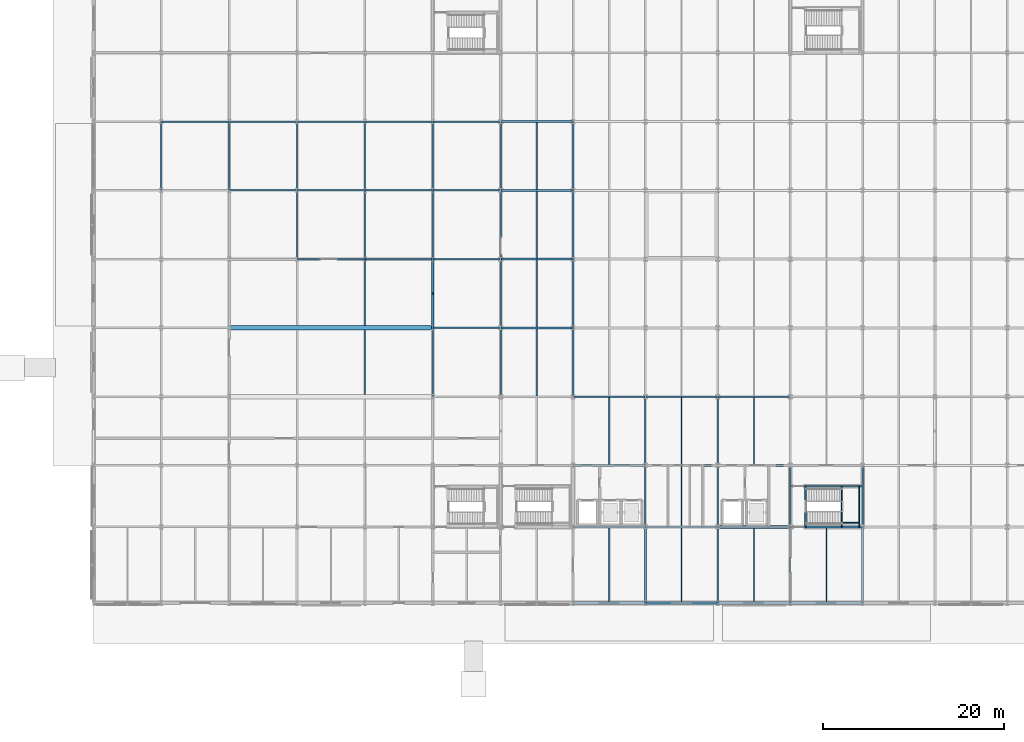
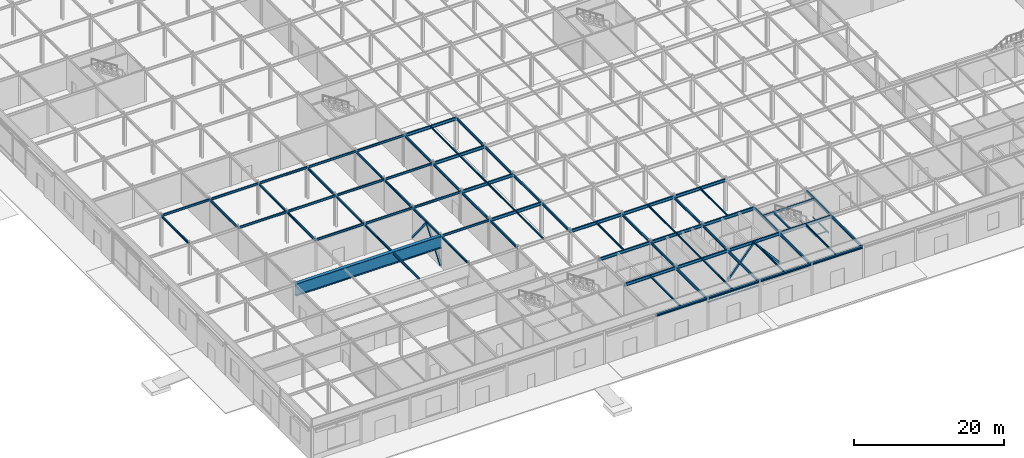
# One storey, part 24 of 89: 80 beams, 4 members.
"""IFC4 building model written with IfcOpenShell, lengths in metres."""

import ifcopenshell
import ifcopenshell.guid

model = None  # the IFC model being written
_history = None  # IfcOwnerHistory: only IFC2X3 demands one
_inside = {}  # id of a spatial element -> (the spatial element, [elements in it])
_under = {}  # id of a project, library or spatial element -> (it, [spatial elements below it])
_declared = {}  # id of a project -> (the project, [libraries it declares])
_typed = {}  # id of a type object -> (the type object, [elements of that type])
_made_of = {}  # id of a material, layer set ... -> (it, [elements and type objects made of it])


def new_model(schema):
    """Start an empty IFC model of exactly this schema.

    Asked for "IFC4X3", IfcOpenShell would pick the latest addendum, in which some entities
    have other attributes; the version numbers below select the first issue.
    IFC2X3 requires an IfcOwnerHistory on every rooted entity: one is made here for all.
    """
    global model, _history
    if schema == "IFC4X3":
        model = ifcopenshell.file(schema_version=(4, 3, 0, 0))
    else:
        model = ifcopenshell.file(schema=schema)
    _inside.clear()
    _under.clear()
    _declared.clear()
    _typed.clear()
    _made_of.clear()
    _history = None
    if model.schema == "IFC2X3":
        org = make("IfcOrganization", Name="unknown")
        user = make(
            "IfcPersonAndOrganization",
            ThePerson=make("IfcPerson", FamilyName="unknown"),
            TheOrganization=org,
        )
        app = make(
            "IfcApplication",
            ApplicationDeveloper=org,
            Version="unknown",
            ApplicationFullName="unknown",
            ApplicationIdentifier="unknown",
        )
        _history = make(
            "IfcOwnerHistory",
            OwningUser=user,
            OwningApplication=app,
            ChangeAction="ADDED",
            CreationDate=0,
        )
    return model


def make(cls, **values):
    """One entity of the class cls with the attributes given. An attribute that is None is left unset."""
    return model.create_entity(
        cls, **{name: value for name, value in values.items() if value is not None}
    )


def rooted(cls, **values):
    """An entity with a GlobalId (a new one), such as an element, a storey or a relation."""
    return make(cls, GlobalId=ifcopenshell.guid.new(), OwnerHistory=_history, **values)


def si_unit(unit_type, name, prefix=None):
    """IfcSIUnit, for example si_unit("LENGTHUNIT", "METRE", prefix="MILLI")."""
    return make("IfcSIUnit", UnitType=unit_type, Prefix=prefix, Name=name)


def assignment(units):
    """IfcUnitAssignment: the units of a project."""
    return None if units is None else make("IfcUnitAssignment", Units=units)


def point(xyz):
    """IfcCartesianPoint."""
    return None if xyz is None else make("IfcCartesianPoint", Coordinates=xyz)


def direction(xyz):
    """IfcDirection."""
    return None if xyz is None else make("IfcDirection", DirectionRatios=xyz)


def frame(location, z_axis=None, x_axis=None):
    """IfcAxis2Placement3D, a coordinate frame: its origin and axes. An axis left out is left unset."""
    return make(
        "IfcAxis2Placement3D",
        Location=point(location),
        Axis=direction(z_axis),
        RefDirection=direction(x_axis),
    )


def frame_2d(location, x_axis=None):
    """IfcAxis2Placement2D, a coordinate frame in the plane: its origin and x axis."""
    return make(
        "IfcAxis2Placement2D", Location=point(location), RefDirection=direction(x_axis)
    )


def origin():
    """The frame at (0, 0, 0) with its axes left unset."""
    return frame((0.0, 0.0, 0.0))


def origin_2d():
    """The frame at (0, 0) in the plane with its x axis left unset."""
    return frame_2d((0.0, 0.0))


def place(relative_to, where):
    """IfcLocalPlacement: puts the frame where relative to a parent placement (None: the world)."""
    return make(
        "IfcLocalPlacement", PlacementRelTo=relative_to, RelativePlacement=where
    )


def context(
    kind, dimensions, precision=None, world=None, true_north=None, identifier=None
):
    """IfcGeometricRepresentationContext, for example the 3D "Model" context."""
    return make(
        "IfcGeometricRepresentationContext",
        ContextIdentifier=identifier,
        ContextType=kind,
        CoordinateSpaceDimension=dimensions,
        Precision=precision,
        WorldCoordinateSystem=world,
        TrueNorth=true_north,
    )


def subcontext(parent, identifier, kind, view, scale=None):
    """IfcGeometricRepresentationSubContext, for example "Body" below "Model"."""
    return make(
        "IfcGeometricRepresentationSubContext",
        ContextIdentifier=identifier,
        ContextType=kind,
        ParentContext=parent,
        TargetScale=scale,
        TargetView=view,
    )


def project(units=None, contexts=None):
    """IfcProject with its units and contexts."""
    return rooted(
        "IfcProject",
        Name="project",
        RepresentationContexts=contexts,
        UnitsInContext=assignment(units),
    )


def spatial(cls, under=None, at=None, **own):
    """A site, building, storey or space (cls), placed at a placement, below another one or the project."""
    s = rooted(cls, ObjectPlacement=at, **own)
    if under is not None:
        _under.setdefault(under.id(), (under, []))[1].append(s)
    return s


def profile(cls, at=None, kind="AREA", **sizes):
    """A parametric profile (cls). Its sizes go by their IFC names, for example OverallWidth=200.0."""
    return make(cls, ProfileType=kind, Position=at, **sizes)


def hollow_rectangle(**sizes):
    """IfcRectangleHollowProfileDef."""
    return profile("IfcRectangleHollowProfileDef", **sizes)


def i_section(**sizes):
    """IfcIShapeProfileDef."""
    return profile("IfcIShapeProfileDef", **sizes)


def extrude(swept, where, along, depth):
    """IfcExtrudedAreaSolid: the profile swept, set in the frame where, extruded along a direction by depth."""
    return make(
        "IfcExtrudedAreaSolid",
        SweptArea=swept,
        Position=where,
        ExtrudedDirection=direction(along),
        Depth=depth,
    )


def shape(context_of_items, identifier, shape_type, items):
    """IfcShapeRepresentation: the items that make up one representation, for example the "Body"."""
    return make(
        "IfcShapeRepresentation",
        ContextOfItems=context_of_items,
        RepresentationIdentifier=identifier,
        RepresentationType=shape_type,
        Items=items,
    )


def material(Name=None, Category=None):
    """IfcMaterial."""
    return make("IfcMaterial", Name=Name, Category=Category)


def material_profile(
    of_material, cross_section, Name=None, Category=None, Priority=None
):
    """IfcMaterialProfile: a cross section and its material."""
    return make(
        "IfcMaterialProfile",
        Name=Name,
        Material=of_material,
        Profile=cross_section,
        Priority=Priority,
        Category=Category,
    )


def profile_set(profiles, Name=None, composite=None):
    """IfcMaterialProfileSet."""
    return make(
        "IfcMaterialProfileSet",
        Name=Name,
        MaterialProfiles=profiles,
        CompositeProfile=composite,
    )


def made_of(thing, what):
    """Note that an element or type object is made of a material, layer set ...; save() writes the relation."""
    if what is not None:
        _made_of.setdefault(what.id(), (what, []))[1].append(thing)
    return thing


def type_object(cls, material=None, **own):
    """A type object (cls), such as IfcWallType, which elements share."""
    return made_of(rooted(cls, **own), material)


def element(
    cls,
    number,
    at=None,
    inside=None,
    cuts=None,
    type_object=None,
    material=None,
    context=None,
    identifier="Body",
    shape_type=None,
    held_by="IfcProductDefinitionShape",
    body=None,
    shapes=None,
    **own,
):
    """One element of the class cls, such as IfcWall. Its Tag is "e" and its number.

    at: its placement. inside: the storey or other place that contains it. cuts: it is an
    opening in that element (IfcRelVoidsElement). A single representation is given by context,
    identifier, shape_type and body (its items); several are given by shapes. held_by: the class
    of the entity that holds the representations. save() writes the other relations.
    """
    e = rooted(cls, Tag="e%d" % number, ObjectPlacement=at, **own)
    if body is not None:
        shapes = [shape(context, identifier, shape_type, body)]
    if shapes is not None:
        e.Representation = make(held_by, Representations=shapes)
    if inside is not None:
        _inside.setdefault(inside.id(), (inside, []))[1].append(e)
    if cuts is not None:
        rooted(
            "IfcRelVoidsElement", RelatingBuildingElement=cuts, RelatedOpeningElement=e
        )
    if type_object is not None:
        _typed.setdefault(type_object.id(), (type_object, []))[1].append(e)
    return made_of(e, material)


def aggregate(whole, parts):
    """IfcRelAggregates: a whole, such as a stair, and the parts it consists of."""
    return rooted("IfcRelAggregates", RelatingObject=whole, RelatedObjects=parts)


def save(model, path):
    """Write the relations noted so far, then the file.

    IfcRelAggregates (storeys below a building ...), IfcRelContainedInSpatialStructure (elements
    in a storey), IfcRelDefinesByType, IfcRelAssociatesMaterial and IfcRelDeclares: one each for
    every whole, place, type object, material and project.
    """
    for whole, parts in _under.values():
        aggregate(whole, parts)
    for where, things in _inside.values():
        rooted(
            "IfcRelContainedInSpatialStructure",
            RelatedElements=things,
            RelatingStructure=where,
        )
    for kind, things in _typed.values():
        rooted("IfcRelDefinesByType", RelatedObjects=things, RelatingType=kind)
    for what, things in _made_of.values():
        rooted("IfcRelAssociatesMaterial", RelatedObjects=things, RelatingMaterial=what)
    for by, libraries in _declared.values():
        rooted("IfcRelDeclares", RelatingContext=by, RelatedDefinitions=libraries)
    model.write(path)


model = new_model("IFC4")

# Units and contexts
model_context = context("Model", 3, precision=1e-05, world=origin(), true_north=direction((0.0, 1.0)))
body_context = subcontext(model_context, "Body", "Model", "MODEL_VIEW")
ifc_project = project(units=[si_unit("LENGTHUNIT", "METRE"), si_unit("AREAUNIT", "SQUARE_METRE"), si_unit("VOLUMEUNIT", "CUBIC_METRE"), si_unit("PLANEANGLEUNIT", "RADIAN"), si_unit("MASSUNIT", "GRAM", prefix="KILO")], contexts=[model_context])

# Site, building, storey
site_placement = place(None, origin())
site = spatial("IfcSite", under=ifc_project, at=site_placement, CompositionType="ELEMENT")
building_placement = place(site_placement, origin())
building = spatial("IfcBuilding", under=site, at=building_placement, Name="Shalkamar Park Central Library", CompositionType="ELEMENT")
storey_placement = place(building_placement, origin())
storey = spatial("IfcBuildingStorey", under=building, at=storey_placement, Name="L01", CompositionType="ELEMENT", Elevation=0.0)

# Beams
ifc_material = material(Name="Steel S355", Category="steel")
ifc_material_profile_1 = material_profile(ifc_material, i_section(OverallWidth=0.10009765625, OverallDepth=0.199951171875, WebThickness=0.005615234375, FlangeThickness=0.008544921875, FilletRadius=0.011962890625, at=origin_2d()), Name="IPE 200")
ifc_profile_set_1 = profile_set([ifc_material_profile_1], Name="Steel S355")
beam_type_1 = type_object("IfcBeamType", Name="Composite Floor Joist IPE200", PredefinedType="JOIST", material=ifc_profile_set_1)
for number, where, z_axis, x_axis, name in (
    (1, (202.679931640625, 248.39990234375, 2.320068359375), (0.0, 1.0, 0.0), (-1.0, 0.0, 0.0), "Stair Half-Landing Beam ST-T2-L01-1"),
    (2, (204.6201171875, 248.39990234375, 2.320068359375), (0.0, 1.0, 0.0), (-1.0, 0.0, 0.0), "Stair Half-Landing Beam ST-T2-L01-2"),
):
    element("IfcBeam", number, at=place(storey_placement, frame(where, z_axis=z_axis, x_axis=x_axis)), inside=storey, type_object=beam_type_1, Name=name, PredefinedType="JOIST", context=body_context, shape_type="SweptSolid", body=[
        extrude(i_section(OverallWidth=0.10009765625, OverallDepth=0.199951171875, WebThickness=0.005615234375, FlangeThickness=0.008544921875, FilletRadius=0.011962890625, at=origin_2d()), origin(), (0.0, 0.0, 1.0), 4.5),
    ])
beam_1_placement = place(storey_placement, frame((202.679931640625, 248.85009765625, 2.320068359375), z_axis=(1.0, 0.0, 0.0), x_axis=(0.0, 1.0, 0.0)))
element("IfcBeam", 3, at=beam_1_placement, inside=storey, type_object=beam_type_1, Name="Stair Half-Landing Cross Tie ST-T2-L01-3", PredefinedType="JOIST", context=body_context, shape_type="SweptSolid", body=[
    extrude(i_section(OverallWidth=0.10009765625, OverallDepth=0.199951171875, WebThickness=0.005615234375, FlangeThickness=0.008544921875, FilletRadius=0.011962890625, at=origin_2d()), origin(), (0.0, 0.0, 1.0), 1.940185546875),
])
ifc_material_profile_2 = material_profile(ifc_material, i_section(OverallWidth=0.1201171875, OverallDepth=0.239990234375, WebThickness=0.006103515625, FlangeThickness=0.009765625, FilletRadius=0.014892578125, at=origin_2d()), Name="IPE 240")
ifc_profile_set_2 = profile_set([ifc_material_profile_2], Name="Steel S355")
beam_type_2 = type_object("IfcBeamType", Name="Composite Floor Joist IPE240", PredefinedType="JOIST", material=ifc_profile_set_2)
beam_2_placement = place(storey_placement, frame((185.0, 248.498046875, 5.02001953125), z_axis=(0.0, 1.0, 0.0), x_axis=(-1.0, 0.0, 0.0)))
element("IfcBeam", 4, at=beam_2_placement, inside=storey, type_object=beam_type_2, Name="Composite Joist 09/B-1 (L01)", PredefinedType="JOIST", context=body_context, shape_type="SweptSolid", body=[
    extrude(i_section(OverallWidth=0.1201171875, OverallDepth=0.239990234375, WebThickness=0.006103515625, FlangeThickness=0.009765625, FilletRadius=0.014892578125, at=origin_2d()), origin(), (0.0, 0.0, 1.0), 6.60400390625),
])
ifc_material_profile_3 = material_profile(ifc_material, i_section(OverallWidth=0.135009765625, OverallDepth=0.27001953125, WebThickness=0.006591796875, FlangeThickness=0.01025390625, FilletRadius=0.014892578125, at=origin_2d()), Name="IPE 270")
ifc_profile_set_3 = profile_set([ifc_material_profile_3], Name="Steel S355")
beam_type_3 = type_object("IfcBeamType", Name="Composite Floor Joist IPE270", PredefinedType="JOIST", material=ifc_profile_set_3)
for number, where, z_axis, x_axis, name in (
    (5, (169.0, 262.89794921875, 5.0048828125), (0.0, 1.0, 0.0), (-1.0, 0.0, 0.0), "Composite Joist 07/D-1 (L01)"),
    (6, (169.0, 270.498046875, 5.0048828125), (0.0, 1.0, 0.0), (-1.0, 0.0, 0.0), "Composite Joist 07/E-1 (L01)"),
    (7, (169.0, 278.097900390625, 5.0048828125), (0.0, 1.0, 0.0), (-1.0, 0.0, 0.0), "Composite Joist 07/F-1 (L01)"),
    (8, (169.0, 285.697998046875, 5.0048828125), (0.0, 1.0, 0.0), (-1.0, 0.0, 0.0), "Composite Joist 07/G-1 (L01)"),
):
    element("IfcBeam", number, at=place(storey_placement, frame(where, z_axis=z_axis, x_axis=x_axis)), inside=storey, type_object=beam_type_3, Name=name, PredefinedType="JOIST", context=body_context, shape_type="SweptSolid", body=[
        extrude(i_section(OverallWidth=0.135009765625, OverallDepth=0.27001953125, WebThickness=0.006591796875, FlangeThickness=0.01025390625, FilletRadius=0.014892578125, at=origin_2d()), origin(), (0.0, 0.0, 1.0), 7.404052734375),
    ])
beam_3_placement = place(storey_placement, frame((177.0, 240.14794921875, 5.0048828125), z_axis=(0.0, 1.0, 0.0), x_axis=(-1.0, 0.0, 0.0)))
element("IfcBeam", 9, at=beam_3_placement, inside=storey, type_object=beam_type_3, Name="Composite Joist 08/A-1 (L01)", PredefinedType="JOIST", context=body_context, shape_type="SweptSolid", body=[
    extrude(i_section(OverallWidth=0.135009765625, OverallDepth=0.27001953125, WebThickness=0.006591796875, FlangeThickness=0.01025390625, FilletRadius=0.014892578125, at=origin_2d()), origin(), (0.0, 0.0, 1.0), 8.154052734375),
])
beam_4_placement = place(storey_placement, frame((177.0, 255.298095703125, 5.0048828125), z_axis=(0.0, 1.0, 0.0), x_axis=(-1.0, 0.0, 0.0)))
element("IfcBeam", 10, at=beam_4_placement, inside=storey, type_object=beam_type_3, Name="Composite Joist 08/C-1 (L01)", PredefinedType="JOIST", context=body_context, shape_type="SweptSolid", body=[
    extrude(i_section(OverallWidth=0.135009765625, OverallDepth=0.27001953125, WebThickness=0.006591796875, FlangeThickness=0.01025390625, FilletRadius=0.014892578125, at=origin_2d()), origin(), (0.0, 0.0, 1.0), 7.40380859375),
])
beam_5_placement = place(storey_placement, frame((185.0, 240.14794921875, 5.0048828125), z_axis=(0.0, 1.0, 0.0), x_axis=(-1.0, 0.0, 0.0)))
element("IfcBeam", 11, at=beam_5_placement, inside=storey, type_object=beam_type_3, Name="Composite Joist 09/A-1 (L01)", PredefinedType="JOIST", context=body_context, shape_type="SweptSolid", body=[
    extrude(i_section(OverallWidth=0.135009765625, OverallDepth=0.27001953125, WebThickness=0.006591796875, FlangeThickness=0.01025390625, FilletRadius=0.014892578125, at=origin_2d()), origin(), (0.0, 0.0, 1.0), 8.154052734375),
])
beam_6_placement = place(storey_placement, frame((185.0, 255.298095703125, 5.0048828125), z_axis=(0.0, 1.0, 0.0), x_axis=(-1.0, 0.0, 0.0)))
element("IfcBeam", 12, at=beam_6_placement, inside=storey, type_object=beam_type_3, Name="Composite Joist 09/C-1 (L01)", PredefinedType="JOIST", context=body_context, shape_type="SweptSolid", body=[
    extrude(i_section(OverallWidth=0.135009765625, OverallDepth=0.27001953125, WebThickness=0.006591796875, FlangeThickness=0.01025390625, FilletRadius=0.014892578125, at=origin_2d()), origin(), (0.0, 0.0, 1.0), 7.40380859375),
])
beam_7_placement = place(storey_placement, frame((193.0, 240.14794921875, 5.0048828125), z_axis=(0.0, 1.0, 0.0), x_axis=(-1.0, 0.0, 0.0)))
element("IfcBeam", 13, at=beam_7_placement, inside=storey, type_object=beam_type_3, Name="Composite Joist 10/A-1 (L01)", PredefinedType="JOIST", context=body_context, shape_type="SweptSolid", body=[
    extrude(i_section(OverallWidth=0.135009765625, OverallDepth=0.27001953125, WebThickness=0.006591796875, FlangeThickness=0.01025390625, FilletRadius=0.014892578125, at=origin_2d()), origin(), (0.0, 0.0, 1.0), 8.154052734375),
])
beam_8_placement = place(storey_placement, frame((193.0, 255.298095703125, 5.0048828125), z_axis=(0.0, 1.0, 0.0), x_axis=(-1.0, 0.0, 0.0)))
element("IfcBeam", 14, at=beam_8_placement, inside=storey, type_object=beam_type_3, Name="Composite Joist 10/C-1 (L01)", PredefinedType="JOIST", context=body_context, shape_type="SweptSolid", body=[
    extrude(i_section(OverallWidth=0.135009765625, OverallDepth=0.27001953125, WebThickness=0.006591796875, FlangeThickness=0.01025390625, FilletRadius=0.014892578125, at=origin_2d()), origin(), (0.0, 0.0, 1.0), 7.40380859375),
])
beam_9_placement = place(storey_placement, frame((201.0, 240.14794921875, 5.0048828125), z_axis=(0.0, 1.0, 0.0), x_axis=(-1.0, 0.0, 0.0)))
element("IfcBeam", 15, at=beam_9_placement, inside=storey, type_object=beam_type_3, Name="Composite Joist 11/A-1 (L01)", PredefinedType="JOIST", context=body_context, shape_type="SweptSolid", body=[
    extrude(i_section(OverallWidth=0.135009765625, OverallDepth=0.27001953125, WebThickness=0.006591796875, FlangeThickness=0.01025390625, FilletRadius=0.014892578125, at=origin_2d()), origin(), (0.0, 0.0, 1.0), 8.154052734375),
])

# Members
ifc_material_profile_4 = material_profile(ifc_material, hollow_rectangle(XDim=0.300048828125, YDim=0.300048828125, WallThickness=0.01611328125, InnerFilletRadius=0.01611328125, OuterFilletRadius=0.02392578125, at=origin_2d()), Name="SHS 300x300x16")
ifc_profile_set_4 = profile_set([ifc_material_profile_4], Name="Steel S355")
member_type = type_object("IfcMemberType", Name="Diagonal Brace SHS300", PredefinedType="BRACE", material=ifc_profile_set_4)
for number, where, z_axis, x_axis, name in (
    (16, (189.0, 248.39990234375, 0.14990234375), (0.648904123361, 0.0, 0.760870185173), (0.0, 1.0, 0.0), "Chevron Brace TW-S Leg A (L01)"),
    (17, (197.0, 248.39990234375, 0.14990234375), (-0.648904123361, 0.0, 0.760870185173), (0.0, -1.0, 0.0), "Chevron Brace TW-S Leg B (L01)"),
):
    element("IfcMember", number, at=place(storey_placement, frame(where, z_axis=z_axis, x_axis=x_axis)), inside=storey, type_object=member_type, Name=name, PredefinedType="BRACE", context=body_context, shape_type="SweptSolid", body=[
        extrude(hollow_rectangle(XDim=0.300048828125, YDim=0.300048828125, WallThickness=0.01611328125, InnerFilletRadius=0.01611328125, OuterFilletRadius=0.02392578125, at=origin_2d()), origin(), (0.0, 0.0, 1.0), 6.164306640625),
    ])
for number, where, z_axis, x_axis, name in (
    (18, (157.5, 270.39990234375, 0.14990234375), (0.0, 0.62952162091, 0.776982965583), (-1.0, 0.0, 0.0), "Chevron Brace PD-W Leg A (L01)"),
    (19, (157.5, 278.0, 0.14990234375), (0.0, -0.62952162091, 0.776982965583), (1.0, 0.0, 0.0), "Chevron Brace PD-W Leg B (L01)"),
):
    element("IfcMember", number, at=place(storey_placement, frame(where, z_axis=z_axis, x_axis=x_axis)), inside=storey, type_object=member_type, Name=name, PredefinedType="BRACE", context=body_context, shape_type="SweptSolid", body=[
        extrude(hollow_rectangle(XDim=0.300048828125, YDim=0.300048828125, WallThickness=0.01611328125, InnerFilletRadius=0.01611328125, OuterFilletRadius=0.02392578125, at=origin_2d()), origin(), (0.0, 0.0, 1.0), 6.036376953125),
    ])

# Beams
ifc_material_profile_5 = material_profile(ifc_material, i_section(OverallWidth=0.179931640625, OverallDepth=0.1708984375, WebThickness=0.006103515625, FlangeThickness=0.009521484375, FilletRadius=0.014892578125, at=origin_2d()), Name="HEA 180")
ifc_profile_set_5 = profile_set([ifc_material_profile_5], Name="Steel S355")
beam_type_4 = type_object("IfcBeamType", Name="Opening Lintel Beam HEA180", PredefinedType="LINTEL", material=ifc_profile_set_5)
beam_10_placement = place(storey_placement, frame((181.080078125, 240.0, 4.35009765625), z_axis=(1.0, 0.0, 0.0), x_axis=(0.0, 1.0, 0.0)))
element("IfcBeam", 20, at=beam_10_placement, inside=storey, type_object=beam_type_4, Name="Opening Lintel L01-04", PredefinedType="LINTEL", context=body_context, shape_type="SweptSolid", body=[
    extrude(i_section(OverallWidth=0.179931640625, OverallDepth=0.1708984375, WebThickness=0.006103515625, FlangeThickness=0.009521484375, FilletRadius=0.014892578125, at=origin_2d()), origin(), (0.0, 0.0, 1.0), 7.83984375),
])
ifc_material_profile_6 = material_profile(ifc_material, i_section(OverallWidth=0.300048828125, OverallDepth=0.31005859375, WebThickness=0.009033203125, FlangeThickness=0.015380859375, FilletRadius=0.027099609375, at=origin_2d()), Name="HEA 320")
ifc_profile_set_6 = profile_set([ifc_material_profile_6], Name="Steel S355")
beam_type_5 = type_object("IfcBeamType", Name="Perimeter Spandrel Beam HEA320", PredefinedType="SPANDREL", material=ifc_profile_set_6)
for number, where, z_axis, x_axis, name in (
    (21, (173.0, 240.0, 4.9951171875), (1.0, 0.0, 0.0), (0.0, 1.0, 0.0), "Beam A:08-09 (L01)"),
    (22, (181.0, 240.0, 4.9951171875), (1.0, 0.0, 0.0), (0.0, 1.0, 0.0), "Beam A:09-10 (L01)"),
    (23, (189.0, 240.0, 4.9951171875), (1.0, 0.0, 0.0), (0.0, 1.0, 0.0), "Beam A:10-11 (L01)"),
    (24, (197.0, 240.0, 4.9951171875), (1.0, 0.0, 0.0), (0.0, 1.0, 0.0), "Beam A:11-12 (L01)"),
):
    element("IfcBeam", number, at=place(storey_placement, frame(where, z_axis=z_axis, x_axis=x_axis)), inside=storey, type_object=beam_type_5, Name=name, PredefinedType="SPANDREL", context=body_context, shape_type="SweptSolid", body=[
        extrude(i_section(OverallWidth=0.300048828125, OverallDepth=0.31005859375, WebThickness=0.009033203125, FlangeThickness=0.015380859375, FilletRadius=0.027099609375, at=origin_2d()), origin(), (0.0, 0.0, 1.0), 8.0),
    ])
ifc_material_profile_7 = material_profile(ifc_material, i_section(OverallWidth=0.169921875, OverallDepth=0.360107421875, WebThickness=0.008056640625, FlangeThickness=0.0126953125, FilletRadius=0.01806640625, at=origin_2d()), Name="IPE 360")
ifc_profile_set_7 = profile_set([ifc_material_profile_7], Name="Steel S355")
beam_type_6 = type_object("IfcBeamType", Name="Primary Girder IPE360", PredefinedType="BEAM", material=ifc_profile_set_7)
for number, where, z_axis, x_axis, name in (
    (25, (157.5, 270.39990234375, 4.9599609375), (1.0, 0.0, 0.0), (0.0, 1.0, 0.0), "Beam E:06-07 (L01)"),
    (26, (142.5, 278.0, 4.9599609375), (1.0, 0.0, 0.0), (0.0, 1.0, 0.0), "Beam F:04-05 (L01)"),
    (27, (150.0, 278.0, 4.9599609375), (1.0, 0.0, 0.0), (0.0, 1.0, 0.0), "Beam F:05-06 (L01)"),
    (28, (157.5, 278.0, 4.9599609375), (1.0, 0.0, 0.0), (0.0, 1.0, 0.0), "Beam F:06-07 (L01)"),
    (29, (135.0, 285.60009765625, 4.9599609375), (1.0, 0.0, 0.0), (0.0, 1.0, 0.0), "Beam G:03-04 (L01)"),
    (30, (142.5, 285.60009765625, 4.9599609375), (1.0, 0.0, 0.0), (0.0, 1.0, 0.0), "Beam G:04-05 (L01)"),
    (31, (150.0, 285.60009765625, 4.9599609375), (1.0, 0.0, 0.0), (0.0, 1.0, 0.0), "Beam G:05-06 (L01)"),
    (32, (157.5, 285.60009765625, 4.9599609375), (1.0, 0.0, 0.0), (0.0, 1.0, 0.0), "Beam G:06-07 (L01)"),
    (33, (127.5, 293.199951171875, 4.9599609375), (1.0, 0.0, 0.0), (0.0, 1.0, 0.0), "Beam H:02-03 (L01)"),
    (34, (135.0, 293.199951171875, 4.9599609375), (1.0, 0.0, 0.0), (0.0, 1.0, 0.0), "Beam H:03-04 (L01)"),
    (35, (142.5, 293.199951171875, 4.9599609375), (1.0, 0.0, 0.0), (0.0, 1.0, 0.0), "Beam H:04-05 (L01)"),
    (36, (150.0, 293.199951171875, 4.9599609375), (1.0, 0.0, 0.0), (0.0, 1.0, 0.0), "Beam H:05-06 (L01)"),
    (37, (157.5, 293.199951171875, 4.9599609375), (1.0, 0.0, 0.0), (0.0, 1.0, 0.0), "Beam H:06-07 (L01)"),
):
    element("IfcBeam", number, at=place(storey_placement, frame(where, z_axis=z_axis, x_axis=x_axis)), inside=storey, type_object=beam_type_6, Name=name, PredefinedType="BEAM", context=body_context, shape_type="SweptSolid", body=[
        extrude(i_section(OverallWidth=0.169921875, OverallDepth=0.360107421875, WebThickness=0.008056640625, FlangeThickness=0.0126953125, FilletRadius=0.01806640625, at=origin_2d()), origin(), (0.0, 0.0, 1.0), 7.5),
    ])
for number, where, z_axis, x_axis, name in (
    (38, (127.5, 285.60009765625, 4.969970703125), (0.0, 1.0, 0.0), (-1.0, 0.0, 0.0), "Beam 02:G-H (L01)"),
    (39, (135.0, 285.60009765625, 4.9599609375), (0.0, 1.0, 0.0), (-1.0, 0.0, 0.0), "Beam 03:G-H (L01)"),
):
    element("IfcBeam", number, at=place(storey_placement, frame(where, z_axis=z_axis, x_axis=x_axis)), inside=storey, type_object=beam_type_6, Name=name, PredefinedType="BEAM", context=body_context, shape_type="SweptSolid", body=[
        extrude(i_section(OverallWidth=0.169921875, OverallDepth=0.360107421875, WebThickness=0.008056640625, FlangeThickness=0.0126953125, FilletRadius=0.01806640625, at=origin_2d()), origin(), (0.0, 0.0, 1.0), 7.599853515625),
    ])
beam_11_placement = place(storey_placement, frame((142.5, 278.0, 4.9599609375), z_axis=(0.0, 1.0, 0.0), x_axis=(-1.0, 0.0, 0.0)))
element("IfcBeam", 40, at=beam_11_placement, inside=storey, type_object=beam_type_6, Name="Beam 04:F-G (L01)", PredefinedType="BEAM", context=body_context, shape_type="SweptSolid", body=[
    extrude(i_section(OverallWidth=0.169921875, OverallDepth=0.360107421875, WebThickness=0.008056640625, FlangeThickness=0.0126953125, FilletRadius=0.01806640625, at=origin_2d()), origin(), (0.0, 0.0, 1.0), 7.60009765625),
])
beam_12_placement = place(storey_placement, frame((142.5, 285.60009765625, 4.9599609375), z_axis=(0.0, 1.0, 0.0), x_axis=(-1.0, 0.0, 0.0)))
element("IfcBeam", 41, at=beam_12_placement, inside=storey, type_object=beam_type_6, Name="Beam 04:G-H (L01)", PredefinedType="BEAM", context=body_context, shape_type="SweptSolid", body=[
    extrude(i_section(OverallWidth=0.169921875, OverallDepth=0.360107421875, WebThickness=0.008056640625, FlangeThickness=0.0126953125, FilletRadius=0.01806640625, at=origin_2d()), origin(), (0.0, 0.0, 1.0), 7.599853515625),
])
beam_13_placement = place(storey_placement, frame((150.0, 263.048095703125, 4.9599609375), z_axis=(0.0, 1.0, 0.0), x_axis=(-1.0, 0.0, 0.0)))
element("IfcBeam", 42, at=beam_13_placement, inside=storey, type_object=beam_type_6, Name="Beam 05:D-E (L01)", PredefinedType="BEAM", context=body_context, shape_type="SweptSolid", body=[
    extrude(i_section(OverallWidth=0.169921875, OverallDepth=0.360107421875, WebThickness=0.008056640625, FlangeThickness=0.0126953125, FilletRadius=0.01806640625, at=origin_2d()), origin(), (0.0, 0.0, 1.0), 7.10400390625),
])
beam_14_placement = place(storey_placement, frame((150.0, 270.64794921875, 4.9599609375), z_axis=(0.0, 1.0, 0.0), x_axis=(-1.0, 0.0, 0.0)))
element("IfcBeam", 43, at=beam_14_placement, inside=storey, type_object=beam_type_6, Name="Beam 05:E-F (L01)", PredefinedType="BEAM", context=body_context, shape_type="SweptSolid", body=[
    extrude(i_section(OverallWidth=0.169921875, OverallDepth=0.360107421875, WebThickness=0.008056640625, FlangeThickness=0.0126953125, FilletRadius=0.01806640625, at=origin_2d()), origin(), (0.0, 0.0, 1.0), 7.35205078125),
])
beam_15_placement = place(storey_placement, frame((150.0, 278.0, 4.9599609375), z_axis=(0.0, 1.0, 0.0), x_axis=(-1.0, 0.0, 0.0)))
element("IfcBeam", 44, at=beam_15_placement, inside=storey, type_object=beam_type_6, Name="Beam 05:F-G (L01)", PredefinedType="BEAM", context=body_context, shape_type="SweptSolid", body=[
    extrude(i_section(OverallWidth=0.169921875, OverallDepth=0.360107421875, WebThickness=0.008056640625, FlangeThickness=0.0126953125, FilletRadius=0.01806640625, at=origin_2d()), origin(), (0.0, 0.0, 1.0), 7.60009765625),
])
for number, where, z_axis, x_axis, name in (
    (45, (150.0, 285.60009765625, 4.9599609375), (0.0, 1.0, 0.0), (-1.0, 0.0, 0.0), "Beam 05:G-H (L01)"),
    (46, (157.5, 262.800048828125, 4.9599609375), (0.0, 1.0, 0.0), (-1.0, 0.0, 0.0), "Beam 06:D-E (L01)"),
):
    element("IfcBeam", number, at=place(storey_placement, frame(where, z_axis=z_axis, x_axis=x_axis)), inside=storey, type_object=beam_type_6, Name=name, PredefinedType="BEAM", context=body_context, shape_type="SweptSolid", body=[
        extrude(i_section(OverallWidth=0.169921875, OverallDepth=0.360107421875, WebThickness=0.008056640625, FlangeThickness=0.0126953125, FilletRadius=0.01806640625, at=origin_2d()), origin(), (0.0, 0.0, 1.0), 7.599853515625),
    ])
for number, where, z_axis, x_axis, name in (
    (47, (157.5, 270.39990234375, 4.9599609375), (0.0, 1.0, 0.0), (-1.0, 0.0, 0.0), "Beam 06:E-F (L01)"),
    (48, (157.5, 278.0, 4.9599609375), (0.0, 1.0, 0.0), (-1.0, 0.0, 0.0), "Beam 06:F-G (L01)"),
):
    element("IfcBeam", number, at=place(storey_placement, frame(where, z_axis=z_axis, x_axis=x_axis)), inside=storey, type_object=beam_type_6, Name=name, PredefinedType="BEAM", context=body_context, shape_type="SweptSolid", body=[
        extrude(i_section(OverallWidth=0.169921875, OverallDepth=0.360107421875, WebThickness=0.008056640625, FlangeThickness=0.0126953125, FilletRadius=0.01806640625, at=origin_2d()), origin(), (0.0, 0.0, 1.0), 7.60009765625),
    ])
beam_16_placement = place(storey_placement, frame((157.5, 285.60009765625, 4.9599609375), z_axis=(0.0, 1.0, 0.0), x_axis=(-1.0, 0.0, 0.0)))
element("IfcBeam", 49, at=beam_16_placement, inside=storey, type_object=beam_type_6, Name="Beam 06:G-H (L01)", PredefinedType="BEAM", context=body_context, shape_type="SweptSolid", body=[
    extrude(i_section(OverallWidth=0.169921875, OverallDepth=0.360107421875, WebThickness=0.008056640625, FlangeThickness=0.0126953125, FilletRadius=0.01806640625, at=origin_2d()), origin(), (0.0, 0.0, 1.0), 7.599853515625),
])
beam_17_placement = place(storey_placement, frame((197.087890625, 252.89990234375, 4.9599609375), z_axis=(1.0, 0.0, 0.0), x_axis=(0.0, 1.0, 0.0)))
element("IfcBeam", 50, at=beam_17_placement, inside=storey, type_object=beam_type_6, Name="CORE-T2 Stairwell Divider Beam (L01)", PredefinedType="BEAM", context=body_context, shape_type="SweptSolid", body=[
    extrude(i_section(OverallWidth=0.169921875, OverallDepth=0.360107421875, WebThickness=0.008056640625, FlangeThickness=0.0126953125, FilletRadius=0.01806640625, at=origin_2d()), origin(), (0.0, 0.0, 1.0), 7.82421875),
])
ifc_material_profile_8 = material_profile(ifc_material, i_section(OverallWidth=0.179931640625, OverallDepth=0.39990234375, WebThickness=0.008544921875, FlangeThickness=0.013427734375, FilletRadius=0.02099609375, at=origin_2d()), Name="IPE 400")
ifc_profile_set_8 = profile_set([ifc_material_profile_8], Name="Steel S355")
beam_type_7 = type_object("IfcBeamType", Name="Primary Girder IPE400", PredefinedType="BEAM", material=ifc_profile_set_8)
beam_18_placement = place(storey_placement, frame((165.0, 262.800048828125, 4.93994140625), z_axis=(0.0, 1.0, 0.0), x_axis=(-1.0, 0.0, 0.0)))
element("IfcBeam", 51, at=beam_18_placement, inside=storey, type_object=beam_type_7, Name="Beam 07:D-E (L01)", PredefinedType="BEAM", context=body_context, shape_type="SweptSolid", body=[
    extrude(i_section(OverallWidth=0.179931640625, OverallDepth=0.39990234375, WebThickness=0.008544921875, FlangeThickness=0.013427734375, FilletRadius=0.02099609375, at=origin_2d()), origin(), (0.0, 0.0, 1.0), 7.599853515625),
])
for number, where, z_axis, x_axis, name in (
    (52, (165.0, 270.39990234375, 4.93994140625), (0.0, 1.0, 0.0), (-1.0, 0.0, 0.0), "Beam 07:E-F (L01)"),
    (53, (165.0, 278.0, 4.93994140625), (0.0, 1.0, 0.0), (-1.0, 0.0, 0.0), "Beam 07:F-G (L01)"),
):
    element("IfcBeam", number, at=place(storey_placement, frame(where, z_axis=z_axis, x_axis=x_axis)), inside=storey, type_object=beam_type_7, Name=name, PredefinedType="BEAM", context=body_context, shape_type="SweptSolid", body=[
        extrude(i_section(OverallWidth=0.179931640625, OverallDepth=0.39990234375, WebThickness=0.008544921875, FlangeThickness=0.013427734375, FilletRadius=0.02099609375, at=origin_2d()), origin(), (0.0, 0.0, 1.0), 7.60009765625),
    ])
for number, where, z_axis, x_axis, name in (
    (54, (165.0, 285.60009765625, 4.93994140625), (0.0, 1.0, 0.0), (-1.0, 0.0, 0.0), "Beam 07:G-H (L01)"),
    (55, (173.0, 262.800048828125, 4.93994140625), (0.0, 1.0, 0.0), (-1.0, 0.0, 0.0), "Beam 08:D-E (L01)"),
):
    element("IfcBeam", number, at=place(storey_placement, frame(where, z_axis=z_axis, x_axis=x_axis)), inside=storey, type_object=beam_type_7, Name=name, PredefinedType="BEAM", context=body_context, shape_type="SweptSolid", body=[
        extrude(i_section(OverallWidth=0.179931640625, OverallDepth=0.39990234375, WebThickness=0.008544921875, FlangeThickness=0.013427734375, FilletRadius=0.02099609375, at=origin_2d()), origin(), (0.0, 0.0, 1.0), 7.599853515625),
    ])
for number, where, z_axis, x_axis, name in (
    (56, (173.0, 270.39990234375, 4.93994140625), (0.0, 1.0, 0.0), (-1.0, 0.0, 0.0), "Beam 08:E-F (L01)"),
    (57, (173.0, 278.0, 4.93994140625), (0.0, 1.0, 0.0), (-1.0, 0.0, 0.0), "Beam 08:F-G (L01)"),
):
    element("IfcBeam", number, at=place(storey_placement, frame(where, z_axis=z_axis, x_axis=x_axis)), inside=storey, type_object=beam_type_7, Name=name, PredefinedType="BEAM", context=body_context, shape_type="SweptSolid", body=[
        extrude(i_section(OverallWidth=0.179931640625, OverallDepth=0.39990234375, WebThickness=0.008544921875, FlangeThickness=0.013427734375, FilletRadius=0.02099609375, at=origin_2d()), origin(), (0.0, 0.0, 1.0), 7.60009765625),
    ])
beam_19_placement = place(storey_placement, frame((173.0, 285.60009765625, 4.93994140625), z_axis=(0.0, 1.0, 0.0), x_axis=(-1.0, 0.0, 0.0)))
element("IfcBeam", 58, at=beam_19_placement, inside=storey, type_object=beam_type_7, Name="Beam 08:G-H (L01)", PredefinedType="BEAM", context=body_context, shape_type="SweptSolid", body=[
    extrude(i_section(OverallWidth=0.179931640625, OverallDepth=0.39990234375, WebThickness=0.008544921875, FlangeThickness=0.013427734375, FilletRadius=0.02099609375, at=origin_2d()), origin(), (0.0, 0.0, 1.0), 7.599853515625),
])
beam_20_placement = place(storey_placement, frame((181.0, 248.39990234375, 4.93994140625), z_axis=(0.0, 1.0, 0.0), x_axis=(-1.0, 0.0, 0.0)))
element("IfcBeam", 59, at=beam_20_placement, inside=storey, type_object=beam_type_7, Name="Beam 09:B-C (L01)", PredefinedType="BEAM", context=body_context, shape_type="SweptSolid", body=[
    extrude(i_section(OverallWidth=0.179931640625, OverallDepth=0.39990234375, WebThickness=0.008544921875, FlangeThickness=0.013427734375, FilletRadius=0.02099609375, at=origin_2d()), origin(), (0.0, 0.0, 1.0), 6.800048828125),
])
beam_21_placement = place(storey_placement, frame((181.0, 255.199951171875, 4.93994140625), z_axis=(0.0, 1.0, 0.0), x_axis=(-1.0, 0.0, 0.0)))
element("IfcBeam", 60, at=beam_21_placement, inside=storey, type_object=beam_type_7, Name="Beam 09:C-D (L01)", PredefinedType="BEAM", context=body_context, shape_type="SweptSolid", body=[
    extrude(i_section(OverallWidth=0.179931640625, OverallDepth=0.39990234375, WebThickness=0.008544921875, FlangeThickness=0.013427734375, FilletRadius=0.02099609375, at=origin_2d()), origin(), (0.0, 0.0, 1.0), 7.60009765625),
])
beam_22_placement = place(storey_placement, frame((189.0, 248.39990234375, 4.93994140625), z_axis=(0.0, 1.0, 0.0), x_axis=(-1.0, 0.0, 0.0)))
element("IfcBeam", 61, at=beam_22_placement, inside=storey, type_object=beam_type_7, Name="Beam 10:B-C (L01)", PredefinedType="BEAM", context=body_context, shape_type="SweptSolid", body=[
    extrude(i_section(OverallWidth=0.179931640625, OverallDepth=0.39990234375, WebThickness=0.008544921875, FlangeThickness=0.013427734375, FilletRadius=0.02099609375, at=origin_2d()), origin(), (0.0, 0.0, 1.0), 6.800048828125),
])
beam_23_placement = place(storey_placement, frame((189.0, 255.199951171875, 4.93994140625), z_axis=(0.0, 1.0, 0.0), x_axis=(-1.0, 0.0, 0.0)))
element("IfcBeam", 62, at=beam_23_placement, inside=storey, type_object=beam_type_7, Name="Beam 10:C-D (L01)", PredefinedType="BEAM", context=body_context, shape_type="SweptSolid", body=[
    extrude(i_section(OverallWidth=0.179931640625, OverallDepth=0.39990234375, WebThickness=0.008544921875, FlangeThickness=0.013427734375, FilletRadius=0.02099609375, at=origin_2d()), origin(), (0.0, 0.0, 1.0), 7.60009765625),
])
for number, where, z_axis, x_axis, name in (
    (63, (197.0, 248.39990234375, 4.93994140625), (0.0, 1.0, 0.0), (-1.0, 0.0, 0.0), "Beam 11:B-C (L01)"),
    (64, (205.0, 248.39990234375, 4.93994140625), (0.0, 1.0, 0.0), (-1.0, 0.0, 0.0), "Beam 12:B-C (L01)"),
):
    element("IfcBeam", number, at=place(storey_placement, frame(where, z_axis=z_axis, x_axis=x_axis)), inside=storey, type_object=beam_type_7, Name=name, PredefinedType="BEAM", context=body_context, shape_type="SweptSolid", body=[
        extrude(i_section(OverallWidth=0.179931640625, OverallDepth=0.39990234375, WebThickness=0.008544921875, FlangeThickness=0.013427734375, FilletRadius=0.02099609375, at=origin_2d()), origin(), (0.0, 0.0, 1.0), 6.800048828125),
    ])
ifc_material_profile_9 = material_profile(ifc_material, i_section(OverallWidth=0.18994140625, OverallDepth=0.449951171875, WebThickness=0.009521484375, FlangeThickness=0.0146484375, FilletRadius=0.02099609375, at=origin_2d()), Name="IPE 450")
ifc_profile_set_9 = profile_set([ifc_material_profile_9], Name="Steel S355")
beam_type_8 = type_object("IfcBeamType", Name="Primary Girder IPE450", PredefinedType="BEAM", material=ifc_profile_set_9)
for number, where, z_axis, x_axis, name in (
    (65, (181.0, 240.0, 4.9150390625), (0.0, 1.0, 0.0), (-1.0, 0.0, 0.0), "Beam 09:A-B (L01)"),
    (66, (189.0, 240.0, 4.9150390625), (0.0, 1.0, 0.0), (-1.0, 0.0, 0.0), "Beam 10:A-B (L01)"),
    (67, (197.0, 240.0, 4.9150390625), (0.0, 1.0, 0.0), (-1.0, 0.0, 0.0), "Beam 11:A-B (L01)"),
    (68, (205.0, 240.0, 4.9150390625), (0.0, 1.0, 0.0), (-1.0, 0.0, 0.0), "Beam 12:A-B (L01)"),
):
    element("IfcBeam", number, at=place(storey_placement, frame(where, z_axis=z_axis, x_axis=x_axis)), inside=storey, type_object=beam_type_8, Name=name, PredefinedType="BEAM", context=body_context, shape_type="SweptSolid", body=[
        extrude(i_section(OverallWidth=0.18994140625, OverallDepth=0.449951171875, WebThickness=0.009521484375, FlangeThickness=0.0146484375, FilletRadius=0.02099609375, at=origin_2d()), origin(), (0.0, 0.0, 1.0), 8.39990234375),
    ])
ifc_material_profile_10 = material_profile(ifc_material, i_section(OverallWidth=0.199951171875, OverallDepth=0.5, WebThickness=0.01025390625, FlangeThickness=0.01611328125, FilletRadius=0.02099609375, at=origin_2d()), Name="IPE 500")
ifc_profile_set_10 = profile_set([ifc_material_profile_10], Name="Steel S355")
beam_type_9 = type_object("IfcBeamType", Name="Primary Girder IPE500", PredefinedType="BEAM", material=ifc_profile_set_10)
for number, where, z_axis, x_axis, name in (
    (69, (173.0, 248.39990234375, 4.889892578125), (1.0, 0.0, 0.0), (0.0, 1.0, 0.0), "Beam B:08-09 (L01)"),
    (70, (181.0, 248.39990234375, 4.889892578125), (1.0, 0.0, 0.0), (0.0, 1.0, 0.0), "Beam B:09-10 (L01)"),
    (71, (189.0, 248.39990234375, 4.889892578125), (1.0, 0.0, 0.0), (0.0, 1.0, 0.0), "Beam B:10-11 (L01)"),
    (72, (197.0, 248.39990234375, 4.889892578125), (1.0, 0.0, 0.0), (0.0, 1.0, 0.0), "Beam B:11-12 (L01)"),
    (73, (173.0, 255.199951171875, 4.889892578125), (1.0, 0.0, 0.0), (0.0, 1.0, 0.0), "Beam C:08-09 (L01)"),
    (74, (181.0, 255.199951171875, 4.889892578125), (1.0, 0.0, 0.0), (0.0, 1.0, 0.0), "Beam C:09-10 (L01)"),
    (75, (189.0, 255.199951171875, 4.889892578125), (1.0, 0.0, 0.0), (0.0, 1.0, 0.0), "Beam C:10-11 (L01)"),
    (76, (173.0, 262.800048828125, 4.889892578125), (1.0, 0.0, 0.0), (0.0, 1.0, 0.0), "Beam D:08-09 (L01)"),
    (77, (181.0, 262.800048828125, 4.889892578125), (1.0, 0.0, 0.0), (0.0, 1.0, 0.0), "Beam D:09-10 (L01)"),
    (78, (189.0, 262.800048828125, 4.889892578125), (1.0, 0.0, 0.0), (0.0, 1.0, 0.0), "Beam D:10-11 (L01)"),
    (79, (165.0, 270.39990234375, 4.889892578125), (1.0, 0.0, 0.0), (0.0, 1.0, 0.0), "Beam E:07-08 (L01)"),
    (80, (165.0, 278.0, 4.889892578125), (1.0, 0.0, 0.0), (0.0, 1.0, 0.0), "Beam F:07-08 (L01)"),
    (81, (165.0, 285.60009765625, 4.889892578125), (1.0, 0.0, 0.0), (0.0, 1.0, 0.0), "Beam G:07-08 (L01)"),
    (82, (165.0, 293.199951171875, 4.889892578125), (1.0, 0.0, 0.0), (0.0, 1.0, 0.0), "Beam H:07-08 (L01)"),
):
    element("IfcBeam", number, at=place(storey_placement, frame(where, z_axis=z_axis, x_axis=x_axis)), inside=storey, type_object=beam_type_9, Name=name, PredefinedType="BEAM", context=body_context, shape_type="SweptSolid", body=[
        extrude(i_section(OverallWidth=0.199951171875, OverallDepth=0.5, WebThickness=0.01025390625, FlangeThickness=0.01611328125, FilletRadius=0.02099609375, at=origin_2d()), origin(), (0.0, 0.0, 1.0), 8.0),
    ])
ifc_material_profile_11 = material_profile(ifc_material, hollow_rectangle(XDim=0.199951171875, YDim=0.300048828125, WallThickness=0.011962890625, InnerFilletRadius=0.011962890625, OuterFilletRadius=0.01806640625, at=origin_2d()), Name="RHS 300x200x12")
ifc_profile_set_11 = profile_set([ifc_material_profile_11], Name="Steel S355")
beam_type_10 = type_object("IfcBeamType", Name="Stair Trimmer Box RHS300x200", PredefinedType="BEAM", material=ifc_profile_set_11)
beam_24_placement = place(storey_placement, frame((198.699951171875, 248.39990234375, 4.989990234375), z_axis=(0.0, 1.0, 0.0), x_axis=(-1.0, 0.0, 0.0)))
element("IfcBeam", 83, at=beam_24_placement, inside=storey, type_object=beam_type_10, Name="Stair Arrival Trimmer Girder ST-T2-L01", PredefinedType="BEAM", context=body_context, shape_type="SweptSolid", body=[
    extrude(hollow_rectangle(XDim=0.199951171875, YDim=0.300048828125, WallThickness=0.011962890625, InnerFilletRadius=0.011962890625, OuterFilletRadius=0.01806640625, at=origin_2d()), origin(), (0.0, 0.0, 1.0), 4.5),
])
ifc_material_profile_12 = material_profile(ifc_material, i_section(OverallWidth=0.5, OverallDepth=2.0, WebThickness=0.02392578125, FlangeThickness=0.0400390625, FilletRadius=0.02392578125, at=origin_2d()), Name="PG 2000x500")
ifc_profile_set_12 = profile_set([ifc_material_profile_12], Name="Steel S355")
beam_type_11 = type_object("IfcBeamType", Name="Transfer Plate Girder PG2000", PredefinedType="BEAM", material=ifc_profile_set_12)
beam_25_placement = place(storey_placement, frame((135.0, 270.39990234375, 4.139892578125), z_axis=(1.0, 0.0, 0.0), x_axis=(0.0, 1.0, 0.0)))
element("IfcBeam", 84, at=beam_25_placement, inside=storey, type_object=beam_type_11, Name="Beam E:03-06 (L01)", PredefinedType="BEAM", context=body_context, shape_type="SweptSolid", body=[
    extrude(i_section(OverallWidth=0.5, OverallDepth=2.0, WebThickness=0.02392578125, FlangeThickness=0.0400390625, FilletRadius=0.02392578125, at=origin_2d()), origin(), (0.0, 0.0, 1.0), 22.5),
])

save(model, "model.ifc")
